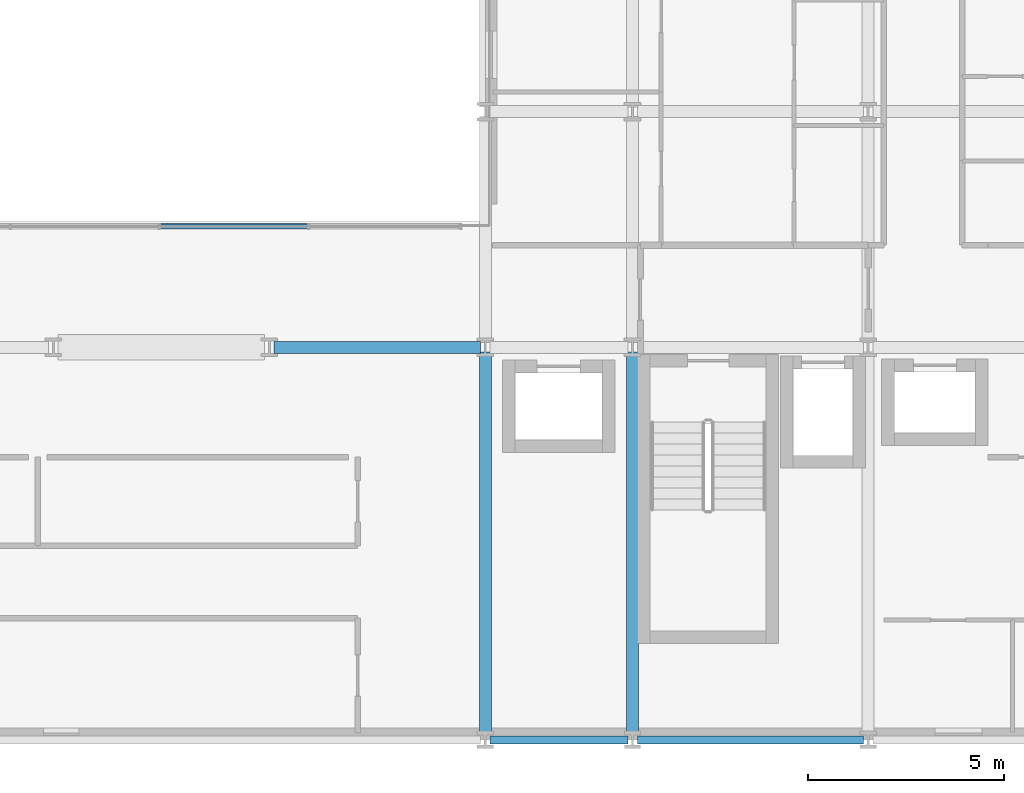
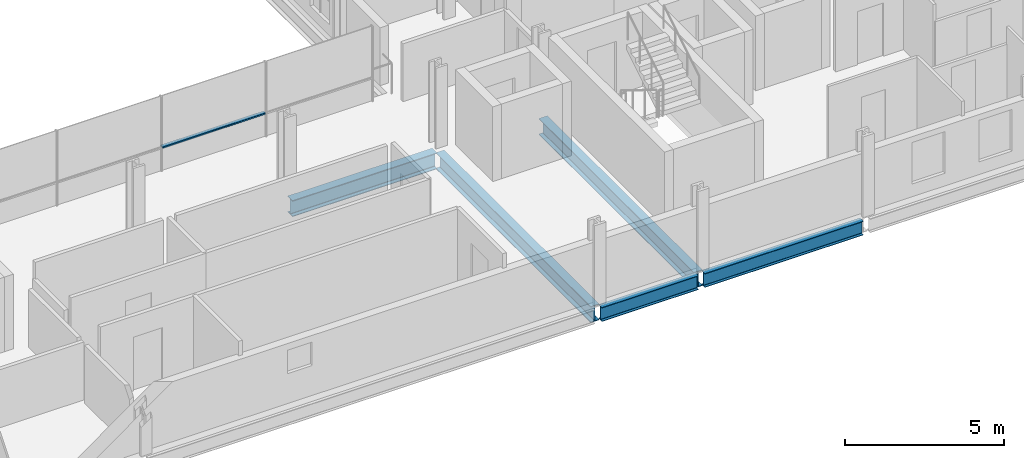
# One storey, part 12 of 39: 5 beams, 1 member, 1 element without a shape of its own.
"""IFC4 building model written with IfcOpenShell, lengths in metres."""

from ifc_helpers import new_model, si_unit, direction, frame, origin, origin_2d, place, context, subcontext, project, spatial, hollow_rectangle, i_section, extrude, material, layer, layer_set, material_profile, profile_set, type_object, element, aggregate, save


model = new_model("IFC4")

# Units and contexts
model_context = context("Model", 3, precision=1e-05, world=origin(), true_north=direction((0.0, 1.0)))
body_context = subcontext(model_context, "Body", "Model", "MODEL_VIEW")
ifc_project = project(units=[si_unit("LENGTHUNIT", "METRE"), si_unit("AREAUNIT", "SQUARE_METRE"), si_unit("VOLUMEUNIT", "CUBIC_METRE"), si_unit("PLANEANGLEUNIT", "RADIAN"), si_unit("MASSUNIT", "GRAM", prefix="KILO")], contexts=[model_context])

# Site, building, storey
site_placement = place(None, origin())
site = spatial("IfcSite", under=ifc_project, at=site_placement, CompositionType="ELEMENT")
building_placement = place(site_placement, origin())
building = spatial("IfcBuilding", under=site, at=building_placement, Name="Brevholm Reach", CompositionType="ELEMENT")
storey_placement = place(building_placement, frame((0.0, 0.0, 40.39990234375)))
storey = spatial("IfcBuildingStorey", under=building, at=storey_placement, Name="L10", CompositionType="ELEMENT", Elevation=40.39990234375)

# Beams
ifc_material_1 = material(Name="Structural Steel S355J2", Category="steel")
ifc_material_profile_1 = material_profile(ifc_material_1, i_section(OverallWidth=0.210693359375, OverallDepth=0.53955078125, WebThickness=0.01171875, FlangeThickness=0.018798828125, FilletRadius=0.0126953125, at=origin_2d()), Name="UKB 533x210x109")
ifc_profile_set_1 = profile_set([ifc_material_profile_1], Name="Structural Steel S355J2")
beam_type_1 = type_object("IfcBeamType", Name="BM-SP539", PredefinedType="SPANDREL", material=ifc_profile_set_1)
beam_1_placement = place(storey_placement, frame((38.3701171875, 0.0, -0.499755859375), z_axis=(1.0, 0.0, 0.0), x_axis=(0.0, 1.0, 0.0)))
element("IfcBeam", 1, at=beam_1_placement, inside=storey, type_object=beam_type_1, Name="L10 SP-01B Framing Beam", PredefinedType="SPANDREL", context=body_context, shape_type="SweptSolid", body=[
    extrude(i_section(OverallWidth=0.210693359375, OverallDepth=0.53955078125, WebThickness=0.01171875, FlangeThickness=0.018798828125, FilletRadius=0.0126953125, at=origin_2d()), origin(), (0.0, 0.0, 1.0), 3.509765625),
])
beam_2_placement = place(storey_placement, frame((42.1201171875, 0.0, -0.499755859375), z_axis=(1.0, 0.0, 0.0), x_axis=(0.0, 1.0, 0.0)))
element("IfcBeam", 2, at=beam_2_placement, inside=storey, type_object=beam_type_1, Name="L10 SP-01B Framing Beam", PredefinedType="SPANDREL", context=body_context, shape_type="SweptSolid", body=[
    extrude(i_section(OverallWidth=0.210693359375, OverallDepth=0.53955078125, WebThickness=0.01171875, FlangeThickness=0.018798828125, FilletRadius=0.0126953125, at=origin_2d()), origin(), (0.0, 0.0, 1.0), 5.759765625),
])
ifc_material_2 = material(Name="Structural Steel S355J2", Category="steel")
ifc_material_profile_2 = material_profile(ifc_material_2, i_section(OverallWidth=0.30712890625, OverallDepth=0.6201171875, WebThickness=0.01416015625, FlangeThickness=0.023681640625, FilletRadius=0.0166015625, at=origin_2d()), Name="UKB 610x305x179")
ifc_profile_set_2 = profile_set([ifc_material_profile_2], Name="Structural Steel S355J2")
beam_type_2 = type_object("IfcBeamType", Name="BM-UKB610H", PredefinedType="USERDEFINED", material=ifc_profile_set_2)
beam_3_placement = place(storey_placement, frame((32.8701171875, 10.0, -0.5400390625), z_axis=(1.0, 0.0, 0.0), x_axis=(0.0, 1.0, 0.0)))
element("IfcBeam", 3, at=beam_3_placement, inside=storey, type_object=beam_type_2, Name="L10 G-06 Framing Beam", ObjectType="GIRDER", PredefinedType="USERDEFINED", context=body_context, shape_type="SweptSolid", body=[
    extrude(i_section(OverallWidth=0.30712890625, OverallDepth=0.6201171875, WebThickness=0.01416015625, FlangeThickness=0.023681640625, FilletRadius=0.0166015625, at=origin_2d()), origin(), (0.0, 0.0, 1.0), 5.259765625),
])
for number, where, z_axis, x_axis, name in (
    (4, (38.25, 0.1201171875, -0.5400390625), (0.0, 1.0, 0.0), (-1.0, 0.0, 0.0), "L10 G-06 Framing Beam"),
    (5, (42.0, 0.1201171875, -0.5400390625), (0.0, 1.0, 0.0), (-1.0, 0.0, 0.0), "L10 G-06 Framing Beam"),
):
    element("IfcBeam", number, at=place(storey_placement, frame(where, z_axis=z_axis, x_axis=x_axis)), inside=storey, type_object=beam_type_2, Name=name, ObjectType="GIRDER", PredefinedType="USERDEFINED", context=body_context, shape_type="SweptSolid", body=[
        extrude(i_section(OverallWidth=0.30712890625, OverallDepth=0.6201171875, WebThickness=0.01416015625, FlangeThickness=0.023681640625, FilletRadius=0.0166015625, at=origin_2d()), origin(), (0.0, 0.0, 1.0), 9.759765625),
    ])

# Curtain wall, member
ifc_material_3 = material(Name="Dark Anodised Aluminium 6063-T6 and Solar-Control Glass", Category="aluminium")
ifc_layer = layer(ifc_material_3, 0.139892578125)
ifc_layer_set = layer_set([ifc_layer], Name="Dark Anodised Aluminium 6063-T6 and Solar-Control Glass")
curtain_wall_type = type_object("IfcCurtainWallType", Name="CW-02", PredefinedType="NOTDEFINED", material=ifc_layer_set)
curtain_wall_placement = place(storey_placement, origin())
curtain_wall = element("IfcCurtainWall", 6, at=curtain_wall_placement, inside=storey, type_object=curtain_wall_type, Name="L10 Curtain Wall CW-02", PredefinedType="NOTDEFINED")
ifc_material_4 = material(Name="Dark Anodised Aluminium 6063-T6", Category="aluminium")
ifc_material_profile_3 = material_profile(ifc_material_4, hollow_rectangle(XDim=0.06005859375, YDim=0.139892578125, WallThickness=0.0048828125, InnerFilletRadius=0.0048828125, OuterFilletRadius=0.010009765625, at=origin_2d()), Name="RHS 140x60x5")
ifc_profile_set_3 = profile_set([ifc_material_profile_3], Name="Dark Anodised Aluminium 6063-T6")
member_type = type_object("IfcMemberType", Name="CWT-140", PredefinedType="NOTDEFINED", material=ifc_profile_set_3)
member_placement = place(storey_placement, frame((29.97998046875, 13.080078125, 0.900146484375), z_axis=(1.0, 0.0, 0.0), x_axis=(0.0, 0.0, 1.0)))
member = element("IfcMember", 7, at=member_placement, type_object=member_type, Name="CT-140 Transom 3.1", ObjectType="TRANSOM", PredefinedType="USERDEFINED", context=body_context, shape_type="SweptSolid", body=[
    extrude(hollow_rectangle(XDim=0.06005859375, YDim=0.139892578125, WallThickness=0.0048828125, InnerFilletRadius=0.0048828125, OuterFilletRadius=0.010009765625, at=origin_2d()), origin(), (0.0, 0.0, 1.0), 3.739990234375),
])
aggregate(curtain_wall, [member])

save(model, "model.ifc")
